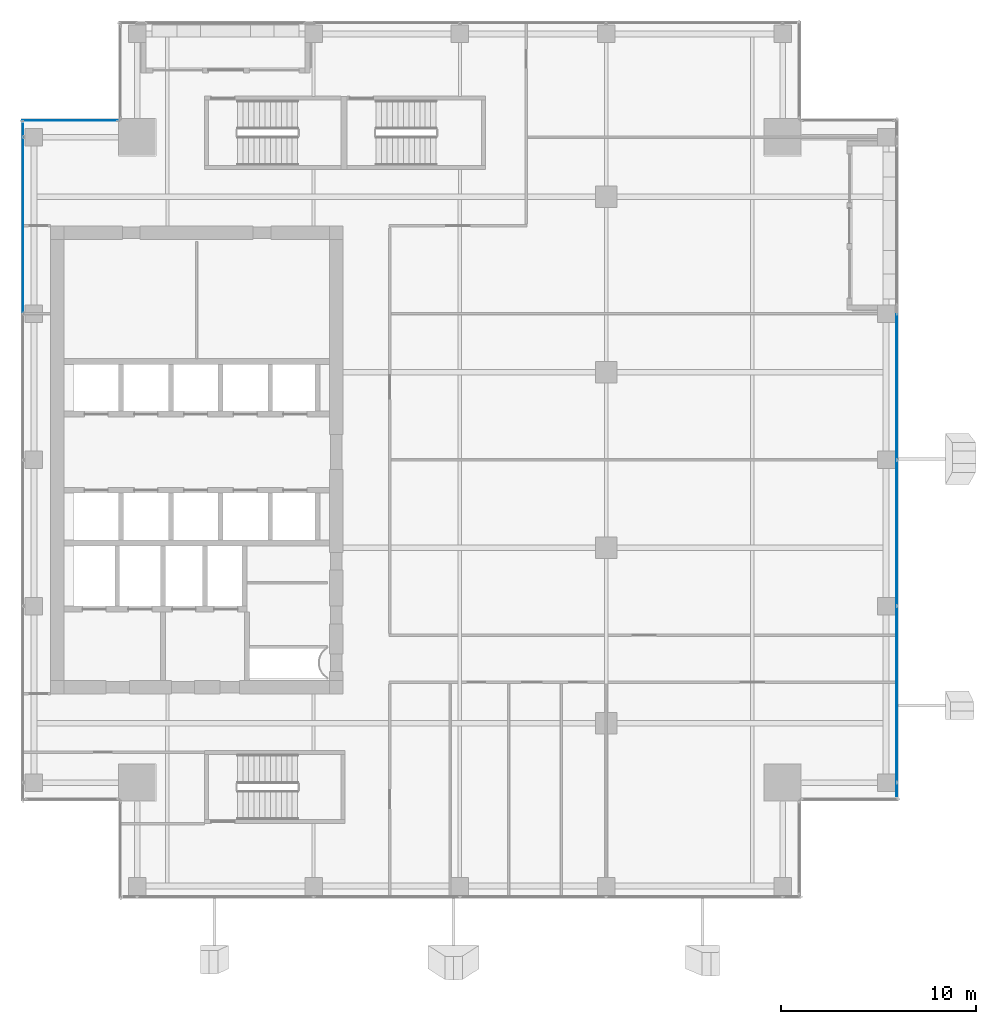
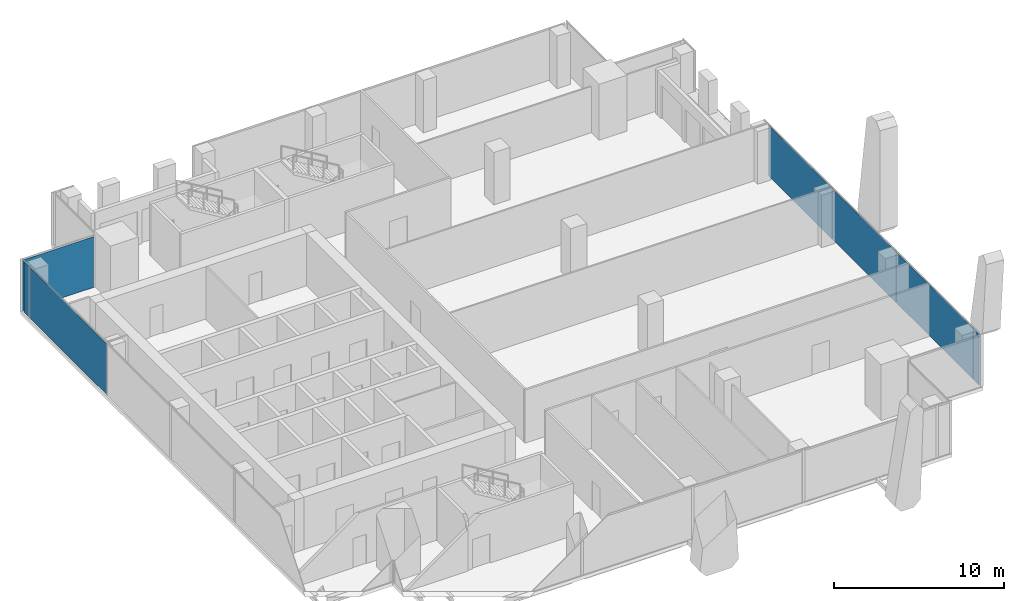
# One storey, part 27 of 35: 7 plates, 3 elements without a shape of their own.
"""IFC4 building model written with IfcOpenShell, lengths in metres."""

from ifc_helpers import new_model, si_unit, direction, frame, origin, origin_2d, place, context, subcontext, project, spatial, rectangle, extrude, source, transform, mapped, material, layer, layer_set, type_object, element, aggregate, save


model = new_model("IFC4")

# Units and contexts
model_context = context("Model", 3, precision=1e-05, world=origin(), true_north=direction((0.0, 1.0)))
body_context = subcontext(model_context, "Body", "Model", "MODEL_VIEW")
ifc_project = project(units=[si_unit("LENGTHUNIT", "METRE"), si_unit("AREAUNIT", "SQUARE_METRE"), si_unit("VOLUMEUNIT", "CUBIC_METRE"), si_unit("PLANEANGLEUNIT", "RADIAN"), si_unit("MASSUNIT", "GRAM", prefix="KILO")], contexts=[model_context])

# Site, building, storey
site_placement = place(None, origin())
site = spatial("IfcSite", under=ifc_project, at=site_placement, CompositionType="ELEMENT")
building_placement = place(site_placement, origin())
building = spatial("IfcBuilding", under=site, at=building_placement, Name="Khomas Fold Tower", CompositionType="ELEMENT")
storey_placement = place(building_placement, frame((0.0, 0.0, 250.199951171875)))
storey = spatial("IfcBuildingStorey", under=building, at=storey_placement, Name="L56", CompositionType="ELEMENT", Elevation=250.199951171875)

# Curtain wall, plate
ifc_material_1 = material(Name="Aluminium framed double glazing", Category="aluminium")
curtain_wall_type = type_object("IfcCurtainWallType", Name="SK-Unitised clear-glass wall, office floors CW2", PredefinedType="NOTDEFINED", material=ifc_material_1)
curtain_wall_1_placement = place(storey_placement, origin())
curtain_wall_1 = element("IfcCurtainWall", 1, at=curtain_wall_1_placement, inside=storey, type_object=curtain_wall_type, Name="CW2 run L56 03-0", PredefinedType="NOTDEFINED")
ifc_material_2 = material(Name="Clear double glazed unit")
ifc_layer = layer(ifc_material_2, 0.030029296875)
ifc_layer_set = layer_set([ifc_layer], Name="Clear double glazed unit")
plate_type = type_object("IfcPlateType", Name="SK-Unitised clear-glass wall, office floors glass panel CW2-P", PredefinedType="CURTAIN_PANEL", material=ifc_layer_set)
shared_shape_1 = source(origin(), body_context, "Body", "SweptSolid", [
    extrude(rectangle(XDim=0.659912109375, YDim=0.030029296875, at=origin_2d()), origin(), (0.0, 0.0, 1.0), 3.639892578125),
])
plate_1_placement = place(storey_placement, frame((49.39990234375, 10.090087890625, 0.0), z_axis=(0.0, 0.0, 1.0), x_axis=(0.0, 1.0, 0.0)))
plate_1 = element("IfcPlate", 2, at=plate_1_placement, type_object=plate_type, Name="CW2 glass panel 1", PredefinedType="CURTAIN_PANEL", context=body_context, shape_type="MappedRepresentation", body=[
    mapped(shared_shape_1, transform((0.0, 0.0, 0.0))),
])

curtain_wall_2_placement = place(storey_placement, origin())
curtain_wall_2 = element("IfcCurtainWall", 3, at=curtain_wall_2_placement, inside=storey, type_object=curtain_wall_type, Name="CW2 run L56 09-0", PredefinedType="NOTDEFINED")
plate_2_placement = place(storey_placement, frame((4.60009765625, 43.909912109375, 0.0), z_axis=(0.0, 0.0, 1.0), x_axis=(0.0, -1.0, 0.0)))
plate_2 = element("IfcPlate", 4, at=plate_2_placement, type_object=plate_type, Name="CW2 glass panel 1", PredefinedType="CURTAIN_PANEL", context=body_context, shape_type="MappedRepresentation", body=[
    mapped(shared_shape_1, transform((0.0, 0.0, 0.0))),
])

# Plate
shared_shape_2 = source(origin(), body_context, "Body", "SweptSolid", [
    extrude(rectangle(XDim=7.43994140625, YDim=0.030029296875, at=origin_2d()), origin(), (0.0, 0.0, 1.0), 3.639892578125),
])
plate_3_placement = place(storey_placement, frame((49.39990234375, 23.25, 0.0), z_axis=(0.0, 0.0, 1.0), x_axis=(0.0, 1.0, 0.0)))
plate_3 = element("IfcPlate", 5, at=plate_3_placement, type_object=plate_type, Name="CW2 glass panel 3", PredefinedType="CURTAIN_PANEL", context=body_context, shape_type="MappedRepresentation", body=[
    mapped(shared_shape_2, transform((0.0, 0.0, 0.0))),
])

plate_4_placement = place(storey_placement, frame((49.39990234375, 30.75, 0.0), z_axis=(0.0, 0.0, 1.0), x_axis=(0.0, 1.0, 0.0)))
plate_4 = element("IfcPlate", 6, at=plate_4_placement, type_object=plate_type, Name="CW2 glass panel 4", PredefinedType="CURTAIN_PANEL", context=body_context, shape_type="MappedRepresentation", body=[
    mapped(shared_shape_2, transform((0.0, 0.0, 0.0))),
])

shared_shape_3 = source(origin(), body_context, "Body", "SweptSolid", [
    extrude(rectangle(XDim=8.989990234375, YDim=0.030029296875, at=origin_2d()), origin(), (0.0, 0.0, 1.0), 3.639892578125),
])
plate_5_placement = place(storey_placement, frame((49.39990234375, 14.97509765625, 0.0), z_axis=(0.0, 0.0, 1.0), x_axis=(0.0, 1.0, 0.0)))
plate_5 = element("IfcPlate", 7, at=plate_5_placement, type_object=plate_type, Name="CW2 glass panel 2", PredefinedType="CURTAIN_PANEL", context=body_context, shape_type="MappedRepresentation", body=[
    mapped(shared_shape_3, transform((0.0, 0.0, 0.0))),
])

aggregate(curtain_wall_1, [plate_1, plate_5, plate_3, plate_4])

plate_6_placement = place(storey_placement, frame((4.60009765625, 39.02490234375, 0.0), z_axis=(0.0, 0.0, 1.0), x_axis=(0.0, -1.0, 0.0)))
plate_6 = element("IfcPlate", 8, at=plate_6_placement, type_object=plate_type, Name="CW2 glass panel 2", PredefinedType="CURTAIN_PANEL", context=body_context, shape_type="MappedRepresentation", body=[
    mapped(shared_shape_3, transform((0.0, 0.0, 0.0))),
])

aggregate(curtain_wall_2, [plate_2, plate_6])

# Curtain wall, plate
curtain_wall_3_placement = place(storey_placement, origin())
curtain_wall_3 = element("IfcCurtainWall", 9, at=curtain_wall_3_placement, inside=storey, type_object=curtain_wall_type, Name="CW2 corner return L56 08", PredefinedType="NOTDEFINED")
shared_shape_4 = source(origin(), body_context, "Body", "SweptSolid", [
    extrude(rectangle(XDim=4.8798828125, YDim=0.030029296875, at=origin_2d()), origin(), (0.0, 0.0, 1.0), 3.639892578125),
])
plate_7_placement = place(storey_placement, frame((7.0, 44.39990234375, 0.0), z_axis=(0.0, 0.0, 1.0), x_axis=(-1.0, 0.0, 0.0)))
plate_7 = element("IfcPlate", 10, at=plate_7_placement, type_object=plate_type, Name="CW2 glass panel 1", PredefinedType="CURTAIN_PANEL", context=body_context, shape_type="MappedRepresentation", body=[
    mapped(shared_shape_4, transform((0.0, 0.0, 0.0))),
])
aggregate(curtain_wall_3, [plate_7])

save(model, "model.ifc")
